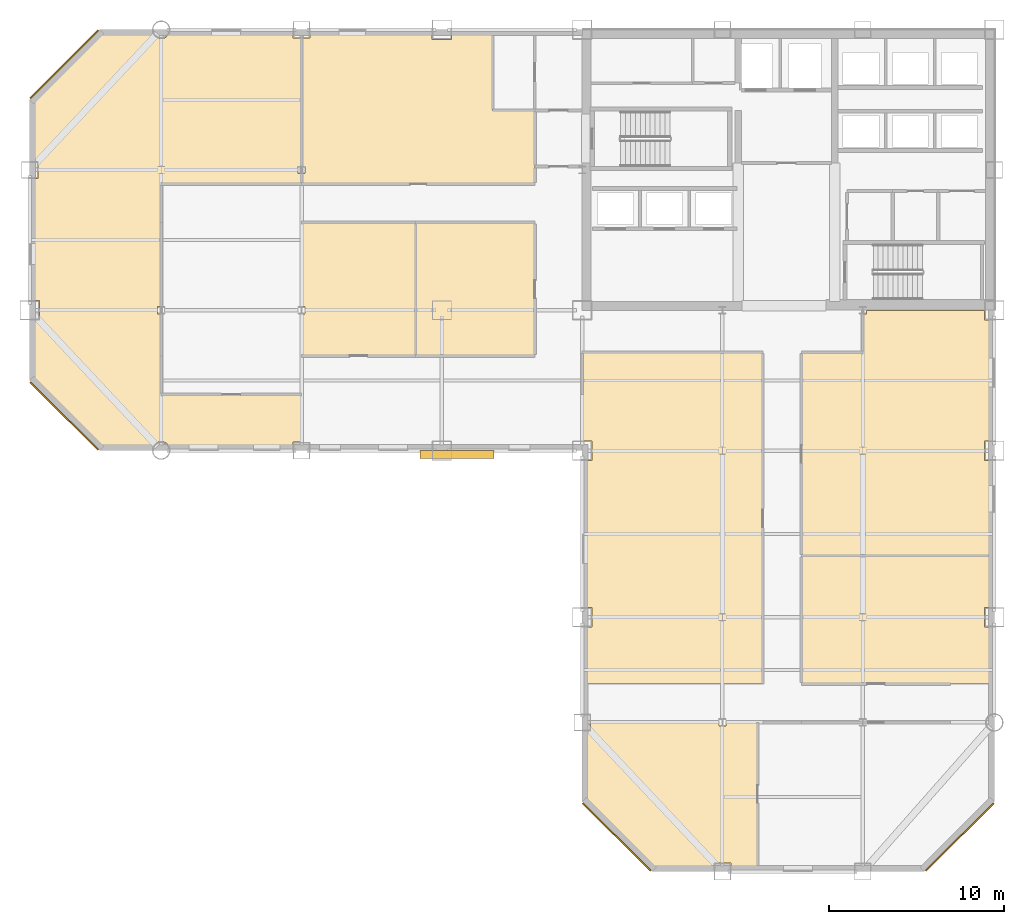
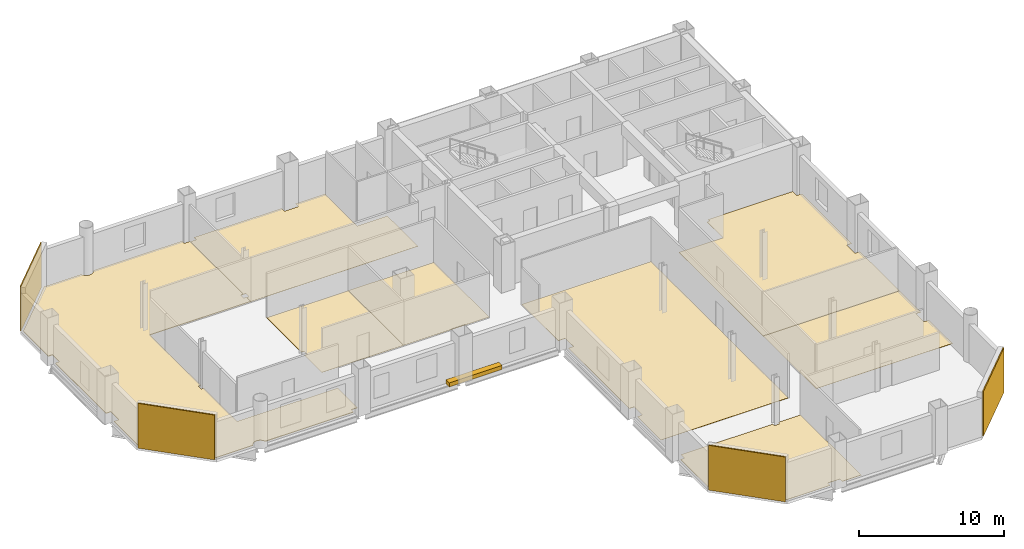
# One storey, part 8 of 9: 12 coverings, 1 shading device.
"""IFC4 building model written with IfcOpenShell, lengths in metres."""

from ifc_helpers import new_model, si_unit, direction, frame, origin, origin_2d, place, context, subcontext, project, spatial, polyline, rectangle, outline, extrude, material, layer, layer_set, type_object, element, save


model = new_model("IFC4")

# Units and contexts
model_context = context("Model", 3, precision=1e-05, world=origin(), true_north=direction((0.0, 1.0)))
body_context = subcontext(model_context, "Body", "Model", "MODEL_VIEW")
ifc_project = project(units=[si_unit("LENGTHUNIT", "METRE"), si_unit("AREAUNIT", "SQUARE_METRE"), si_unit("VOLUMEUNIT", "CUBIC_METRE"), si_unit("PLANEANGLEUNIT", "RADIAN"), si_unit("MASSUNIT", "GRAM", prefix="KILO")], contexts=[model_context])

# Site, building, storey
site_placement = place(None, origin())
site = spatial("IfcSite", under=ifc_project, at=site_placement, CompositionType="ELEMENT")
building_placement = place(site_placement, origin())
building = spatial("IfcBuilding", under=site, at=building_placement, Name="Qianrong Seaharbour Tower", CompositionType="ELEMENT")
storey_placement = place(building_placement, frame((0.0, 0.0, 143.0)))
storey = spatial("IfcBuildingStorey", under=building, at=storey_placement, Name="L34", CompositionType="ELEMENT", Elevation=143.0)

# Coverings
ifc_material_1 = material(Name="Unitised red brick cladding on Precast concrete C45/55", Category="masonry")
ifc_layer_1 = layer(ifc_material_1, 0.080078125)
ifc_layer_set_1 = layer_set([ifc_layer_1], Name="Unitised red brick cladding on Precast concrete C45/55")
covering_type_1 = type_object("IfcCoveringType", Name="COV-CLAD-RED-BRICK-80", PredefinedType="CLADDING", material=ifc_layer_set_1)
for number, where, z_axis, x_axis, name in (
    (1, (10.9716796875, 29.9716796875, 0.0), (0.0, 0.0, 1.0), (-0.707106781187, 0.707106781187, 0.0), "L34 Chamfer Corner Brick Cladding 02"),
    (2, (10.9716796875, 50.0283203125, 0.0), (0.0, 0.0, 1.0), (0.707106781187, 0.707106781187, 0.0), "L34 Chamfer Corner Brick Cladding 04"),
    (3, (62.0283203125, 5.9716796875, 0.0), (0.0, 0.0, 1.0), (-0.707106781187, -0.707106781187, 0.0), "L34 Chamfer Corner Brick Cladding 07"),
    (4, (42.4716796875, 5.9716796875, 0.0), (0.0, 0.0, 1.0), (-0.707106781187, 0.707106781187, 0.0), "L34 Chamfer Corner Brick Cladding 09"),
):
    element("IfcCovering", number, at=place(storey_placement, frame(where, z_axis=z_axis, x_axis=x_axis)), inside=storey, type_object=covering_type_1, Name=name, PredefinedType="CLADDING", context=body_context, shape_type="SweptSolid", body=[
        extrude(rectangle(XDim=5.456787109375, YDim=0.080078125, at=origin_2d()), origin(), (0.0, 0.0, 1.0), 3.764892578125),
    ])
ifc_material_2 = material(Name="Acoustic modular carpet tile flooring")
ifc_layer_2 = layer(ifc_material_2, 0.02001953125)
ifc_layer_set_2 = layer_set([ifc_layer_2], Name="Acoustic modular carpet tile flooring")
covering_type_2 = type_object("IfcCoveringType", Name="COV-FLOOR-CARPET-20", PredefinedType="FLOORING", material=ifc_layer_set_2)
covering_1_placement = place(storey_placement, origin())
element("IfcCovering", 5, at=covering_1_placement, inside=storey, type_object=covering_type_2, Name="L34 Corporate Archive Room Finish Flooring", PredefinedType="FLOORING", context=body_context, shape_type="SweptSolid", body=[
    extrude(outline(polyline([(24.5, 43.7900390625), (24.7099609375, 43.7900390625), (24.7099609375, 44.2099609375), (24.5, 44.2099609375), (24.5, 51.514892578125), (24.985107421875, 51.514892578125), (24.985107421875, 51.8349609375), (31.93994140625, 51.8349609375), (31.93994140625, 51.43994140625), (33.06005859375, 51.43994140625), (33.06005859375, 51.8349609375), (35.39990234375, 51.8349609375), (35.39990234375, 47.39990234375), (37.800048828125, 47.39990234375), (37.800048828125, 43.199951171875), (24.5, 43.199951171875), (24.5, 43.7900390625)])), origin(), (0.0, 0.0, 1.0), 0.02001953125),
])
covering_2_placement = place(storey_placement, origin())
element("IfcCovering", 6, at=covering_2_placement, inside=storey, type_object=covering_type_2, Name="L34 Project Library 1 Finish Flooring", PredefinedType="FLOORING", context=body_context, shape_type="SweptSolid", body=[
    extrude(outline(polyline([(24.5, 33.39990234375), (24.5, 35.7900390625), (24.7099609375, 35.7900390625), (24.7099609375, 36.2099609375), (24.5, 36.2099609375), (24.5, 41.0), (31.0, 41.0), (31.0, 33.39990234375), (24.5, 33.39990234375)])), origin(), (0.0, 0.0, 1.0), 0.02001953125),
])
covering_3_placement = place(storey_placement, origin())
element("IfcCovering", 7, at=covering_3_placement, inside=storey, type_object=covering_type_2, Name="L34 Digital Media Hall 2 Finish Flooring", PredefinedType="FLOORING", context=body_context, shape_type="SweptSolid", body=[
    extrude(outline(polyline([(31.0, 33.39990234375), (31.0, 41.0), (37.800048828125, 41.0), (37.800048828125, 33.39990234375), (31.0, 33.39990234375)])), origin(), (0.0, 0.0, 1.0), 0.02001953125),
])
covering_4_placement = place(storey_placement, origin())
element("IfcCovering", 8, at=covering_4_placement, inside=storey, type_object=covering_type_2, Name="L34 Staff Club Assembly Hall Finish Flooring", PredefinedType="FLOORING", context=body_context, shape_type="SweptSolid", body=[
    extrude(outline(polyline([(56.5, 33.60009765625), (56.5, 35.7900390625), (56.7099609375, 35.7900390625), (56.7099609375, 36.0), (63.43994140625, 36.0), (63.43994140625, 35.43994140625), (63.8349609375, 35.43994140625), (63.8349609375, 28.56005859375), (63.43994140625, 28.56005859375), (63.43994140625, 27.43994140625), (63.8349609375, 27.43994140625), (63.8349609375, 22.0), (53.0, 22.0), (53.0, 33.60009765625), (56.5, 33.60009765625)])), origin(), (0.0, 0.0, 1.0), 0.02001953125),
])
covering_5_placement = place(storey_placement, origin())
element("IfcCovering", 9, at=covering_5_placement, inside=storey, type_object=covering_type_2, Name="L34 Focus Room 1 Finish Flooring", PredefinedType="FLOORING", context=body_context, shape_type="SweptSolid", body=[
    extrude(outline(polyline([(63.8349609375, 22.0), (63.8349609375, 19.06005859375), (63.43994140625, 19.06005859375), (63.43994140625, 17.93994140625), (63.8349609375, 17.93994140625), (63.8349609375, 14.699951171875), (53.0, 14.699951171875), (53.0, 22.0), (63.8349609375, 22.0)])), origin(), (0.0, 0.0, 1.0), 0.02001953125),
])
covering_6_placement = place(storey_placement, origin())
element("IfcCovering", 10, at=covering_6_placement, inside=storey, type_object=covering_type_2, Name="L34 Wet Pantry Finish Flooring", PredefinedType="FLOORING", context=body_context, shape_type="SweptSolid", body=[
    extrude(outline(polyline([(50.800048828125, 14.699951171875), (40.6650390625, 14.699951171875), (40.6650390625, 17.93994140625), (41.06005859375, 17.93994140625), (41.06005859375, 19.06005859375), (40.6650390625, 19.06005859375), (40.6650390625, 27.43994140625), (41.06005859375, 27.43994140625), (41.06005859375, 28.56005859375), (40.5, 28.56005859375), (40.5, 33.60009765625), (50.800048828125, 33.60009765625), (50.800048828125, 14.699951171875)])), origin(), (0.0, 0.0, 1.0), 0.02001953125),
])
covering_7_placement = place(storey_placement, origin())
element("IfcCovering", 11, at=covering_7_placement, inside=storey, type_object=covering_type_2, Name="L34 Harbour Symposium Hall 1 Finish Flooring", PredefinedType="FLOORING", context=body_context, shape_type="SweptSolid", body=[
    extrude(outline(polyline([(48.985107421875, 4.1650390625), (48.985107421875, 4.485107421875), (48.014892578125, 4.485107421875), (48.014892578125, 4.1650390625), (44.568359375, 4.1650390625), (40.6650390625, 8.068359375), (40.6650390625, 12.014892578125), (40.985107421875, 12.014892578125), (40.985107421875, 12.5), (48.2900390625, 12.5), (48.2900390625, 12.2900390625), (48.7099609375, 12.2900390625), (48.7099609375, 12.5), (50.5, 12.5), (50.5, 4.1650390625), (48.985107421875, 4.1650390625)])), origin(), (0.0, 0.0, 1.0), 0.02001953125),
])
ifc_material_3 = material(Name="Calcium-sulphate raised access floor tile")
ifc_layer_3 = layer(ifc_material_3, 0.044921875)
ifc_layer_set_3 = layer_set([ifc_layer_3], Name="Calcium-sulphate raised access floor tile")
covering_type_3 = type_object("IfcCoveringType", Name="COV-FLOOR-RAISED-45", PredefinedType="FLOORING", material=ifc_layer_set_3)
covering_8_placement = place(storey_placement, origin())
element("IfcCovering", 12, at=covering_8_placement, inside=storey, type_object=covering_type_3, Name="L34 West Harbour Open-Plan Office Finish Flooring", PredefinedType="FLOORING", context=body_context, shape_type="SweptSolid", body=[
    extrude(outline(polyline([(9.1650390625, 32.068359375), (9.1650390625, 35.43994140625), (9.56005859375, 35.43994140625), (9.56005859375, 36.56005859375), (9.1650390625, 36.56005859375), (9.1650390625, 43.514892578125), (9.485107421875, 43.514892578125), (9.485107421875, 44.485107421875), (9.1650390625, 44.485107421875), (9.1650390625, 47.931640625), (13.068359375, 51.8349609375), (16.019775390625, 51.8349609375), (16.02880859375, 51.8046875), (16.075927734375, 51.716796875), (16.139404296875, 51.639404296875), (16.216796875, 51.575927734375), (16.3046875, 51.52880859375), (16.400390625, 51.499755859375), (16.5, 51.489990234375), (16.599609375, 51.499755859375), (16.6953125, 51.52880859375), (16.783203125, 51.575927734375), (16.860595703125, 51.639404296875), (16.924072265625, 51.716796875), (16.97119140625, 51.8046875), (16.980224609375, 51.8349609375), (24.014892578125, 51.8349609375), (24.014892578125, 51.514892578125), (24.5, 51.514892578125), (24.5, 44.2099609375), (24.2900390625, 44.2099609375), (24.2900390625, 43.7900390625), (24.5, 43.7900390625), (24.5, 43.199951171875), (16.5, 43.199951171875), (16.5, 36.2099609375), (16.2900390625, 36.2099609375), (16.2900390625, 35.7900390625), (16.5, 35.7900390625), (16.5, 31.199951171875), (24.5, 31.199951171875), (24.5, 28.485107421875), (24.014892578125, 28.485107421875), (24.014892578125, 28.1650390625), (16.980224609375, 28.1650390625), (16.97119140625, 28.1953125), (16.924072265625, 28.283203125), (16.860595703125, 28.360595703125), (16.783203125, 28.424072265625), (16.6953125, 28.47119140625), (16.599609375, 28.500244140625), (16.5, 28.510009765625), (16.400390625, 28.500244140625), (16.3046875, 28.47119140625), (16.216796875, 28.424072265625), (16.139404296875, 28.360595703125), (16.075927734375, 28.283203125), (16.02880859375, 28.1953125), (16.019775390625, 28.1650390625), (13.068359375, 28.1650390625), (9.1650390625, 32.068359375)])), origin(), (0.0, 0.0, 1.0), 0.044921875),
])

# Shading device
ifc_material_4 = material(Name="White architectural precast concrete C45/55", Category="concrete")
shading_device_type = type_object("IfcShadingDeviceType", Name="SHD-SUNSHADE-WHITE-320", PredefinedType="AWNING", material=ifc_material_4)
shading_device_placement = place(storey_placement, frame((33.362548828125, 27.780029296875, -0.02001953125), z_axis=(0.0, 0.0, 1.0), x_axis=(1.0, 0.0, 0.0)))
element("IfcShadingDevice", 13, at=shading_device_placement, inside=storey, type_object=shading_device_type, Name="L34 Climbing White Precast Ribbon Canopy Fin", PredefinedType="AWNING", context=body_context, shape_type="SweptSolid", body=[
    extrude(rectangle(XDim=4.199951171875, YDim=0.4599609375, at=origin_2d()), origin(), (0.0, 0.0, 1.0), 0.340087890625),
])

save(model, "model.ifc")
